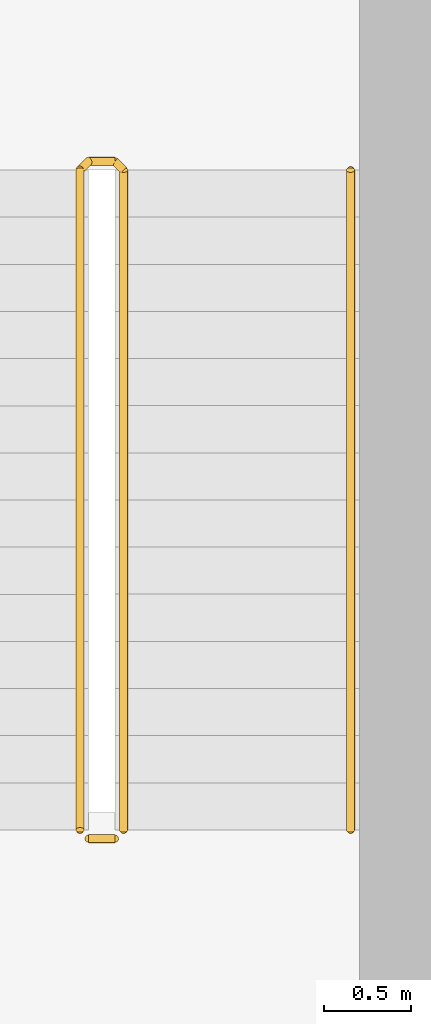
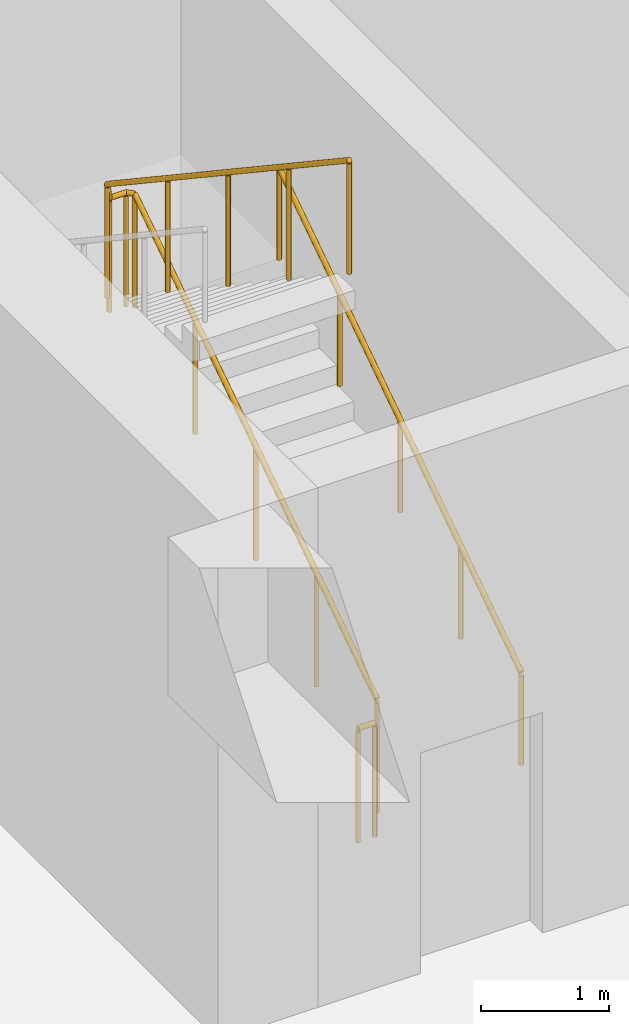
# One storey, part 16 of 24: 3 railings.
"""IFC4 building model written with IfcOpenShell, lengths in metres."""

from ifc_helpers import new_model, si_unit, direction, frame, origin, origin_2d, place, context, subcontext, project, spatial, circle, extrude, material, type_object, element, save


model = new_model("IFC4")

# Units and contexts
model_context = context("Model", 3, precision=1e-05, world=origin(), true_north=direction((0.0, 1.0)))
body_context = subcontext(model_context, "Body", "Model", "MODEL_VIEW")
ifc_project = project(units=[si_unit("LENGTHUNIT", "METRE"), si_unit("AREAUNIT", "SQUARE_METRE"), si_unit("VOLUMEUNIT", "CUBIC_METRE"), si_unit("PLANEANGLEUNIT", "RADIAN"), si_unit("MASSUNIT", "GRAM", prefix="KILO")], contexts=[model_context])

# Site, building, storey
site_placement = place(None, origin())
site = spatial("IfcSite", under=ifc_project, at=site_placement, CompositionType="ELEMENT")
building_placement = place(site_placement, origin())
building = spatial("IfcBuilding", under=site, at=building_placement, Name="Saffron Iwan Residences", CompositionType="ELEMENT")
storey_placement = place(building_placement, frame((0.0, 0.0, 21.60009765625)))
storey = spatial("IfcBuildingStorey", under=building, at=storey_placement, Name="L04", CompositionType="ELEMENT", Elevation=21.60009765625)

# Railings
ifc_material_1 = material(Name="Steel S355", Category="steel")
railing_type_1 = type_object("IfcRailingType", Name="Stair guard 1100", PredefinedType="GUARDRAIL", material=ifc_material_1)
railing_1_placement = place(storey_placement, frame((31.300048828125, 67.85009765625, 0.179931640625)))
element("IfcRailing", 1, at=railing_1_placement, inside=storey, type_object=railing_type_1, Name="L04 ST-W stair guard 1", PredefinedType="GUARDRAIL", context=body_context, shape_type="SweptSolid", body=[
    extrude(circle(Radius=0.02392578125, at=origin_2d()), frame((0.0, 0.0, 1.076171875), z_axis=(0.0, 0.832033757966, 0.554724999982), x_axis=(-1.0, 0.0, 0.0)), (0.0, 0.0, 1.0), 4.542724609375),
    extrude(circle(Radius=0.02392578125, at=origin_2d()), frame((0.0, 3.77978515625, 3.59619140625), z_axis=(-0.707106781187, 0.707106781187, 0.0), x_axis=(-0.707106781187, -0.707106781187, 0.0)), (0.0, 0.0, 1.0), 0.07080078125),
    extrude(circle(Radius=0.02392578125, at=origin_2d()), frame((-0.050048828125, 3.829833984375, 3.59619140625), z_axis=(-1.0, 0.0, 0.0), x_axis=(0.0, -1.0, 0.0)), (0.0, 0.0, 1.0), 0.14990234375),
    extrude(circle(Radius=0.02392578125, at=origin_2d()), frame((-0.199951171875, 3.829833984375, 3.59619140625), z_axis=(-0.258847668887, -0.258847668887, 0.930588936439), x_axis=(0.707106781187, -0.707106781187, 0.0)), (0.0, 0.0, 1.0), 0.193359375),
    extrude(circle(Radius=0.02392578125, at=origin_2d()), frame((-0.25, 3.77978515625, 3.77587890625), z_axis=(0.0, -0.832033757966, 0.554724999982), x_axis=(1.0, 0.0, 0.0)), (0.0, 0.0, 1.0), 4.542724609375),
    extrude(circle(Radius=0.02099609375, at=origin_2d()), origin(), (0.0, 0.0, 1.0), 1.052001953125),
    extrude(circle(Radius=0.02099609375, at=origin_2d()), frame((0.0, 0.94482421875, 0.6298828125)), (0.0, 0.0, 1.0), 1.052001953125),
    extrude(circle(Radius=0.02099609375, at=origin_2d()), frame((0.0, 1.889892578125, 1.260009765625)), (0.0, 0.0, 1.0), 1.052001953125),
    extrude(circle(Radius=0.02099609375, at=origin_2d()), frame((0.0, 2.8349609375, 1.89013671875)), (0.0, 0.0, 1.0), 1.052001953125),
    extrude(circle(Radius=0.02099609375, at=origin_2d()), frame((0.0, 3.77978515625, 2.52001953125)), (0.0, 0.0, 1.0), 1.052001953125),
    extrude(circle(Radius=0.02099609375, at=origin_2d()), frame((-0.050048828125, 3.829833984375, 2.52001953125)), (0.0, 0.0, 1.0), 1.052001953125),
    extrude(circle(Radius=0.02099609375, at=origin_2d()), frame((-0.199951171875, 3.829833984375, 2.52001953125)), (0.0, 0.0, 1.0), 1.052001953125),
    extrude(circle(Radius=0.02099609375, at=origin_2d()), frame((-0.25, 3.77978515625, 2.699951171875)), (0.0, 0.0, 1.0), 1.052001953125),
    extrude(circle(Radius=0.02099609375, at=origin_2d()), frame((-0.25, 2.8349609375, 3.330078125)), (0.0, 0.0, 1.0), 1.052001953125),
    extrude(circle(Radius=0.02099609375, at=origin_2d()), frame((-0.25, 1.889892578125, 3.9599609375)), (0.0, 0.0, 1.0), 1.052001953125),
    extrude(circle(Radius=0.02099609375, at=origin_2d()), frame((-0.25, 0.94482421875, 4.58984375)), (0.0, 0.0, 1.0), 1.052001953125),
    extrude(circle(Radius=0.02099609375, at=origin_2d()), frame((-0.25, 0.0, 5.219970703125)), (0.0, 0.0, 1.0), 1.052001953125),
])
railing_2_placement = place(storey_placement, frame((31.25, 67.800048828125, 0.0)))
element("IfcRailing", 2, at=railing_2_placement, inside=storey, type_object=railing_type_1, Name="L04 ST-W stair guard 2", PredefinedType="GUARDRAIL", context=body_context, shape_type="SweptSolid", body=[
    extrude(circle(Radius=0.02392578125, at=origin_2d()), frame((0.0, 0.0, 1.076171875), z_axis=(-1.0, 0.0, 0.0), x_axis=(0.0, -1.0, 0.0)), (0.0, 0.0, 1.0), 0.14990234375),
    extrude(circle(Radius=0.02099609375, at=origin_2d()), origin(), (0.0, 0.0, 1.0), 1.052001953125),
    extrude(circle(Radius=0.02099609375, at=origin_2d()), frame((-0.14990234375, 0.0, 0.0)), (0.0, 0.0, 1.0), 1.052001953125),
])
ifc_material_2 = material(Name="Stainless steel 316", Category="steel")
railing_type_2 = type_object("IfcRailingType", Name="Stair handrail 900", PredefinedType="HANDRAIL", material=ifc_material_2)
railing_3_placement = place(storey_placement, frame((32.60009765625, 67.85009765625, 0.179931640625)))
element("IfcRailing", 3, at=railing_3_placement, inside=storey, type_object=railing_type_2, Name="L04 ST-W stair handrail 1", PredefinedType="HANDRAIL", context=body_context, shape_type="SweptSolid", body=[
    extrude(circle(Radius=0.02392578125, at=origin_2d()), frame((0.0, 0.0, 0.8759765625), z_axis=(0.0, 0.832033757966, 0.554724999982), x_axis=(-1.0, 0.0, 0.0)), (0.0, 0.0, 1.0), 4.542724609375),
    extrude(circle(Radius=0.02099609375, at=origin_2d()), origin(), (0.0, 0.0, 1.0), 0.851806640625),
    extrude(circle(Radius=0.02099609375, at=origin_2d()), frame((0.0, 0.94482421875, 0.6298828125)), (0.0, 0.0, 1.0), 0.851806640625),
    extrude(circle(Radius=0.02099609375, at=origin_2d()), frame((0.0, 1.889892578125, 1.260009765625)), (0.0, 0.0, 1.0), 0.851806640625),
    extrude(circle(Radius=0.02099609375, at=origin_2d()), frame((0.0, 2.8349609375, 1.89013671875)), (0.0, 0.0, 1.0), 0.851806640625),
    extrude(circle(Radius=0.02099609375, at=origin_2d()), frame((0.0, 3.77978515625, 2.52001953125)), (0.0, 0.0, 1.0), 0.851806640625),
])

save(model, "model.ifc")
